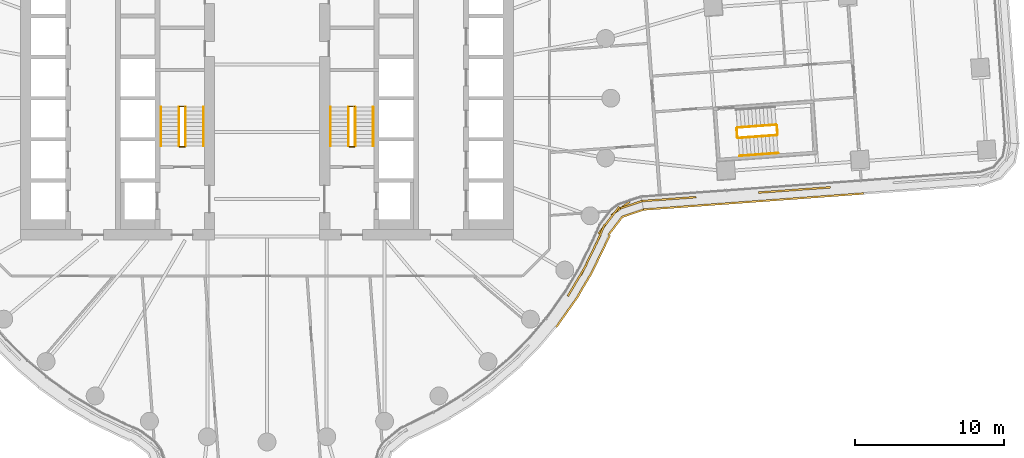
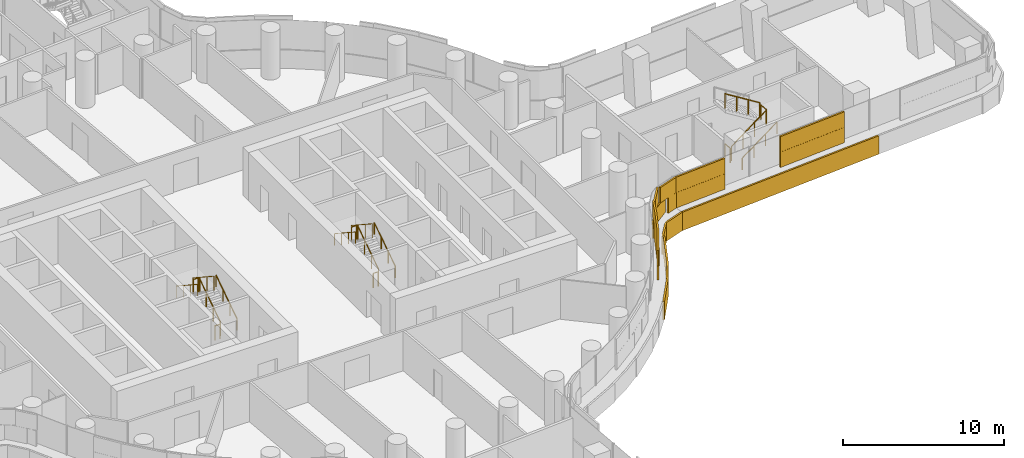
# One storey, part 28 of 31: 17 railings, 2 coverings.
"""IFC4 building model written with IfcOpenShell, lengths in metres."""

from ifc_helpers import new_model, si_unit, direction, frame, origin, origin_2d, place, context, subcontext, project, spatial, rectangle, circle, extrude, material, layer, layer_set, type_object, element, save


model = new_model("IFC4")

# Units and contexts
model_context = context("Model", 3, precision=1e-05, world=origin(), true_north=direction((0.0, 1.0)))
body_context = subcontext(model_context, "Body", "Model", "MODEL_VIEW")
ifc_project = project(units=[si_unit("LENGTHUNIT", "METRE"), si_unit("AREAUNIT", "SQUARE_METRE"), si_unit("VOLUMEUNIT", "CUBIC_METRE"), si_unit("PLANEANGLEUNIT", "RADIAN"), si_unit("MASSUNIT", "GRAM", prefix="KILO")], contexts=[model_context])

# Site, building, storey
site_placement = place(None, origin())
site = spatial("IfcSite", under=ifc_project, at=site_placement, CompositionType="ELEMENT")
building_placement = place(site_placement, origin())
building = spatial("IfcBuilding", under=site, at=building_placement, Name="Tamarind Cross Interchange Tower", CompositionType="ELEMENT")
storey_placement = place(building_placement, frame((0.0, 0.0, 49.0)))
storey = spatial("IfcBuildingStorey", under=building, at=storey_placement, Name="L10", CompositionType="ELEMENT", Elevation=49.0)

# Railings
ifc_material_1 = material(Name="Stair guard")
railing_type_1 = type_object("IfcRailingType", Name="Stair guard", PredefinedType="GUARDRAIL", material=ifc_material_1)
railing_1_placement = place(storey_placement, frame((-5.449951171875, -3.199951171875, 0.17041015625)))
element("IfcRailing", 1, at=railing_1_placement, inside=storey, type_object=railing_type_1, Name="L10 ST1 stair guard 1", PredefinedType="GUARDRAIL", context=body_context, shape_type="SweptSolid", body=[
    extrude(circle(Radius=0.02392578125, at=origin_2d()), frame((0.0, 0.0, 1.076171875), z_axis=(0.0, 0.836278606002, 0.548304744775), x_axis=(-1.0, 0.0, 0.0)), (0.0, 0.0, 1.0), 3.10888671875),
    extrude(circle(Radius=0.02099609375, at=origin_2d()), origin(), (0.0, 0.0, 1.0), 1.052001953125),
    extrude(circle(Radius=0.02099609375, at=origin_2d()), frame((0.0, 0.86669921875, 0.568115234375)), (0.0, 0.0, 1.0), 1.052001953125),
    extrude(circle(Radius=0.02099609375, at=origin_2d()), frame((0.0, 1.733154296875, 1.136474609375)), (0.0, 0.0, 1.0), 1.052001953125),
    extrude(circle(Radius=0.02099609375, at=origin_2d()), frame((0.0, 2.599853515625, 1.70458984375)), (0.0, 0.0, 1.0), 1.052001953125),
])
railing_2_placement = place(storey_placement, frame((-5.5, -0.550048828125, 1.875)))
element("IfcRailing", 2, at=railing_2_placement, inside=storey, type_object=railing_type_1, Name="L10 ST1 stair guard 2", PredefinedType="GUARDRAIL", context=body_context, shape_type="SweptSolid", body=[
    extrude(circle(Radius=0.02392578125, at=origin_2d()), frame((0.0, 0.0, 1.076171875), z_axis=(-1.0, 0.0, 0.0), x_axis=(0.0, -1.0, 0.0)), (0.0, 0.0, 1.0), 0.35009765625),
    extrude(circle(Radius=0.02099609375, at=origin_2d()), origin(), (0.0, 0.0, 1.0), 1.052001953125),
    extrude(circle(Radius=0.02099609375, at=origin_2d()), frame((-0.35009765625, 0.0, 0.0)), (0.0, 0.0, 1.0), 1.052001953125),
])
railing_3_placement = place(storey_placement, frame((-5.89990234375, -0.60009765625, 2.04541015625)))
element("IfcRailing", 3, at=railing_3_placement, inside=storey, type_object=railing_type_1, Name="L10 ST1 stair guard 3", PredefinedType="GUARDRAIL", context=body_context, shape_type="SweptSolid", body=[
    extrude(circle(Radius=0.02392578125, at=origin_2d()), frame((0.0, 0.0, 1.076171875), z_axis=(0.0, -0.836278606002, 0.548304744775), x_axis=(1.0, 0.0, 0.0)), (0.0, 0.0, 1.0), 3.10888671875),
    extrude(circle(Radius=0.02099609375, at=origin_2d()), origin(), (0.0, 0.0, 1.0), 1.052001953125),
    extrude(circle(Radius=0.02099609375, at=origin_2d()), frame((0.0, -0.86669921875, 0.568115234375)), (0.0, 0.0, 1.0), 1.052001953125),
    extrude(circle(Radius=0.02099609375, at=origin_2d()), frame((0.0, -1.733154296875, 1.136474609375)), (0.0, 0.0, 1.0), 1.052001953125),
    extrude(circle(Radius=0.02099609375, at=origin_2d()), frame((0.0, -2.599853515625, 1.70458984375)), (0.0, 0.0, 1.0), 1.052001953125),
])
railing_4_placement = place(storey_placement, frame((-5.5, -3.25, 0.0)))
element("IfcRailing", 4, at=railing_4_placement, inside=storey, type_object=railing_type_1, Name="L10 ST1 stair guard 4", PredefinedType="GUARDRAIL", context=body_context, shape_type="SweptSolid", body=[
    extrude(circle(Radius=0.02392578125, at=origin_2d()), frame((0.0, 0.0, 1.076171875), z_axis=(-1.0, 0.0, 0.0), x_axis=(0.0, -1.0, 0.0)), (0.0, 0.0, 1.0), 0.35009765625),
    extrude(circle(Radius=0.02099609375, at=origin_2d()), origin(), (0.0, 0.0, 1.0), 1.052001953125),
    extrude(circle(Radius=0.02099609375, at=origin_2d()), frame((-0.35009765625, 0.0, 0.0)), (0.0, 0.0, 1.0), 1.052001953125),
])
railing_5_placement = place(storey_placement, frame((5.89990234375, -3.199951171875, 0.17041015625)))
element("IfcRailing", 5, at=railing_5_placement, inside=storey, type_object=railing_type_1, Name="L10 ST2 stair guard 1", PredefinedType="GUARDRAIL", context=body_context, shape_type="SweptSolid", body=[
    extrude(circle(Radius=0.02392578125, at=origin_2d()), frame((0.0, 0.0, 1.076171875), z_axis=(0.0, 0.836278606002, 0.548304744775), x_axis=(-1.0, 0.0, 0.0)), (0.0, 0.0, 1.0), 3.10888671875),
    extrude(circle(Radius=0.02099609375, at=origin_2d()), origin(), (0.0, 0.0, 1.0), 1.052001953125),
    extrude(circle(Radius=0.02099609375, at=origin_2d()), frame((0.0, 0.86669921875, 0.568115234375)), (0.0, 0.0, 1.0), 1.052001953125),
    extrude(circle(Radius=0.02099609375, at=origin_2d()), frame((0.0, 1.733154296875, 1.136474609375)), (0.0, 0.0, 1.0), 1.052001953125),
    extrude(circle(Radius=0.02099609375, at=origin_2d()), frame((0.0, 2.599853515625, 1.70458984375)), (0.0, 0.0, 1.0), 1.052001953125),
])
railing_6_placement = place(storey_placement, frame((5.85009765625, -0.550048828125, 1.875)))
element("IfcRailing", 6, at=railing_6_placement, inside=storey, type_object=railing_type_1, Name="L10 ST2 stair guard 2", PredefinedType="GUARDRAIL", context=body_context, shape_type="SweptSolid", body=[
    extrude(circle(Radius=0.02392578125, at=origin_2d()), frame((0.0, 0.0, 1.076171875), z_axis=(-1.0, 0.0, 0.0), x_axis=(0.0, -1.0, 0.0)), (0.0, 0.0, 1.0), 0.35009765625),
    extrude(circle(Radius=0.02099609375, at=origin_2d()), origin(), (0.0, 0.0, 1.0), 1.052001953125),
    extrude(circle(Radius=0.02099609375, at=origin_2d()), frame((-0.35009765625, 0.0, 0.0)), (0.0, 0.0, 1.0), 1.052001953125),
])
railing_7_placement = place(storey_placement, frame((5.449951171875, -0.60009765625, 2.04541015625)))
element("IfcRailing", 7, at=railing_7_placement, inside=storey, type_object=railing_type_1, Name="L10 ST2 stair guard 3", PredefinedType="GUARDRAIL", context=body_context, shape_type="SweptSolid", body=[
    extrude(circle(Radius=0.02392578125, at=origin_2d()), frame((0.0, 0.0, 1.076171875), z_axis=(0.0, -0.836278606002, 0.548304744775), x_axis=(1.0, 0.0, 0.0)), (0.0, 0.0, 1.0), 3.10888671875),
    extrude(circle(Radius=0.02099609375, at=origin_2d()), origin(), (0.0, 0.0, 1.0), 1.052001953125),
    extrude(circle(Radius=0.02099609375, at=origin_2d()), frame((0.0, -0.86669921875, 0.568115234375)), (0.0, 0.0, 1.0), 1.052001953125),
    extrude(circle(Radius=0.02099609375, at=origin_2d()), frame((0.0, -1.733154296875, 1.136474609375)), (0.0, 0.0, 1.0), 1.052001953125),
    extrude(circle(Radius=0.02099609375, at=origin_2d()), frame((0.0, -2.599853515625, 1.70458984375)), (0.0, 0.0, 1.0), 1.052001953125),
])
railing_8_placement = place(storey_placement, frame((5.85009765625, -3.25, 0.0)))
element("IfcRailing", 8, at=railing_8_placement, inside=storey, type_object=railing_type_1, Name="L10 ST2 stair guard 4", PredefinedType="GUARDRAIL", context=body_context, shape_type="SweptSolid", body=[
    extrude(circle(Radius=0.02392578125, at=origin_2d()), frame((0.0, 0.0, 1.076171875), z_axis=(-1.0, 0.0, 0.0), x_axis=(0.0, -1.0, 0.0)), (0.0, 0.0, 1.0), 0.35009765625),
    extrude(circle(Radius=0.02099609375, at=origin_2d()), origin(), (0.0, 0.0, 1.0), 1.052001953125),
    extrude(circle(Radius=0.02099609375, at=origin_2d()), frame((-0.35009765625, 0.0, 0.0)), (0.0, 0.0, 1.0), 1.052001953125),
])
railing_9_placement = place(storey_placement, frame((31.519287109375, -2.663330078125, 0.17041015625)))
element("IfcRailing", 9, at=railing_9_placement, inside=storey, type_object=railing_type_1, Name="L10 ST3 stair guard 1", PredefinedType="GUARDRAIL", context=body_context, shape_type="SweptSolid", body=[
    extrude(circle(Radius=0.02392578125, at=origin_2d()), frame((0.0, 0.0, 1.076171875), z_axis=(0.834086614599, 0.060934966384, 0.548257648572), x_axis=(-0.072861742749, 0.997342050875, 0.0)), (0.0, 0.0, 1.0), 3.109130859375),
    extrude(circle(Radius=0.02099609375, at=origin_2d()), origin(), (0.0, 0.0, 1.0), 1.052001953125),
    extrude(circle(Radius=0.02099609375, at=origin_2d()), frame((0.864501953125, 0.063232421875, 0.568115234375)), (0.0, 0.0, 1.0), 1.052001953125),
    extrude(circle(Radius=0.02099609375, at=origin_2d()), frame((1.728759765625, 0.126220703125, 1.136474609375)), (0.0, 0.0, 1.0), 1.052001953125),
    extrude(circle(Radius=0.02099609375, at=origin_2d()), frame((2.59326171875, 0.189453125, 1.70458984375)), (0.0, 0.0, 1.0), 1.052001953125),
])
railing_10_placement = place(storey_placement, frame((34.15869140625, -2.42041015625, 1.875)))
element("IfcRailing", 10, at=railing_10_placement, inside=storey, type_object=railing_type_1, Name="L10 ST3 stair guard 2", PredefinedType="GUARDRAIL", context=body_context, shape_type="SweptSolid", body=[
    extrude(circle(Radius=0.02392578125, at=origin_2d()), frame((0.0, 0.0, 1.076171875), z_axis=(-0.072837431648, 0.997343826647, 0.0), x_axis=(-0.997343826647, -0.072837431648, 0.0)), (0.0, 0.0, 1.0), 0.60009765625),
    extrude(circle(Radius=0.02099609375, at=origin_2d()), origin(), (0.0, 0.0, 1.0), 1.052001953125),
    extrude(circle(Radius=0.02099609375, at=origin_2d()), frame((-0.043701171875, 0.598388671875, 0.0)), (0.0, 0.0, 1.0), 1.052001953125),
])
railing_11_placement = place(storey_placement, frame((34.0615234375, -1.775634765625, 2.04541015625)))
element("IfcRailing", 11, at=railing_11_placement, inside=storey, type_object=railing_type_1, Name="L10 ST3 stair guard 3", PredefinedType="GUARDRAIL", context=body_context, shape_type="SweptSolid", body=[
    extrude(circle(Radius=0.02392578125, at=origin_2d()), frame((0.0, 0.0, 1.076171875), z_axis=(-0.834062717302, -0.060938957596, 0.548293559194), x_axis=(0.072868566483, -0.997341552337, 0.0)), (0.0, 0.0, 1.0), 3.10888671875),
    extrude(circle(Radius=0.02099609375, at=origin_2d()), origin(), (0.0, 0.0, 1.0), 1.052001953125),
    extrude(circle(Radius=0.02099609375, at=origin_2d()), frame((-0.8642578125, -0.063232421875, 0.568115234375)), (0.0, 0.0, 1.0), 1.052001953125),
    extrude(circle(Radius=0.02099609375, at=origin_2d()), frame((-1.728759765625, -0.126220703125, 1.136474609375)), (0.0, 0.0, 1.0), 1.052001953125),
    extrude(circle(Radius=0.02099609375, at=origin_2d()), frame((-2.593017578125, -0.189453125, 1.70458984375)), (0.0, 0.0, 1.0), 1.052001953125),
])
railing_12_placement = place(storey_placement, frame((31.4658203125, -2.6171875, 0.0)))
element("IfcRailing", 12, at=railing_12_placement, inside=storey, type_object=railing_type_1, Name="L10 ST3 stair guard 4", PredefinedType="GUARDRAIL", context=body_context, shape_type="SweptSolid", body=[
    extrude(circle(Radius=0.02392578125, at=origin_2d()), frame((0.0, 0.0, 1.076171875), z_axis=(-0.072837431648, 0.997343826647, 0.0), x_axis=(-0.997343826647, -0.072837431648, 0.0)), (0.0, 0.0, 1.0), 0.60009765625),
    extrude(circle(Radius=0.02099609375, at=origin_2d()), origin(), (0.0, 0.0, 1.0), 1.052001953125),
    extrude(circle(Radius=0.02099609375, at=origin_2d()), frame((-0.043701171875, 0.598388671875, 0.0)), (0.0, 0.0, 1.0), 1.052001953125),
])
ifc_material_2 = material(Name="Stair handrail")
railing_type_2 = type_object("IfcRailingType", Name="Stair handrail", PredefinedType="HANDRAIL", material=ifc_material_2)
railing_13_placement = place(storey_placement, frame((-4.25, -3.199951171875, 0.17041015625)))
element("IfcRailing", 13, at=railing_13_placement, inside=storey, type_object=railing_type_2, Name="L10 ST1 stair handrail 1", PredefinedType="HANDRAIL", context=body_context, shape_type="SweptSolid", body=[
    extrude(circle(Radius=0.02392578125, at=origin_2d()), frame((0.0, 0.0, 0.8759765625), z_axis=(0.0, 0.836278606002, 0.548304744775), x_axis=(-1.0, 0.0, 0.0)), (0.0, 0.0, 1.0), 3.10888671875),
    extrude(circle(Radius=0.02099609375, at=origin_2d()), origin(), (0.0, 0.0, 1.0), 0.851806640625),
    extrude(circle(Radius=0.02099609375, at=origin_2d()), frame((0.0, 0.86669921875, 0.568115234375)), (0.0, 0.0, 1.0), 0.851806640625),
    extrude(circle(Radius=0.02099609375, at=origin_2d()), frame((0.0, 1.733154296875, 1.136474609375)), (0.0, 0.0, 1.0), 0.851806640625),
    extrude(circle(Radius=0.02099609375, at=origin_2d()), frame((0.0, 2.599853515625, 1.70458984375)), (0.0, 0.0, 1.0), 0.851806640625),
])
railing_14_placement = place(storey_placement, frame((-7.10009765625, -0.60009765625, 2.04541015625)))
element("IfcRailing", 14, at=railing_14_placement, inside=storey, type_object=railing_type_2, Name="L10 ST1 stair handrail 2", PredefinedType="HANDRAIL", context=body_context, shape_type="SweptSolid", body=[
    extrude(circle(Radius=0.02392578125, at=origin_2d()), frame((0.0, 0.0, 0.8759765625), z_axis=(0.0, -0.836278606002, 0.548304744775), x_axis=(1.0, 0.0, 0.0)), (0.0, 0.0, 1.0), 3.10888671875),
    extrude(circle(Radius=0.02099609375, at=origin_2d()), origin(), (0.0, 0.0, 1.0), 0.851806640625),
    extrude(circle(Radius=0.02099609375, at=origin_2d()), frame((0.0, -0.86669921875, 0.568115234375)), (0.0, 0.0, 1.0), 0.851806640625),
    extrude(circle(Radius=0.02099609375, at=origin_2d()), frame((0.0, -1.733154296875, 1.136474609375)), (0.0, 0.0, 1.0), 0.851806640625),
    extrude(circle(Radius=0.02099609375, at=origin_2d()), frame((0.0, -2.599853515625, 1.70458984375)), (0.0, 0.0, 1.0), 0.851806640625),
])
railing_15_placement = place(storey_placement, frame((7.10009765625, -3.199951171875, 0.17041015625)))
element("IfcRailing", 15, at=railing_15_placement, inside=storey, type_object=railing_type_2, Name="L10 ST2 stair handrail 1", PredefinedType="HANDRAIL", context=body_context, shape_type="SweptSolid", body=[
    extrude(circle(Radius=0.02392578125, at=origin_2d()), frame((0.0, 0.0, 0.8759765625), z_axis=(0.0, 0.836278606002, 0.548304744775), x_axis=(-1.0, 0.0, 0.0)), (0.0, 0.0, 1.0), 3.10888671875),
    extrude(circle(Radius=0.02099609375, at=origin_2d()), origin(), (0.0, 0.0, 1.0), 0.851806640625),
    extrude(circle(Radius=0.02099609375, at=origin_2d()), frame((0.0, 0.86669921875, 0.568115234375)), (0.0, 0.0, 1.0), 0.851806640625),
    extrude(circle(Radius=0.02099609375, at=origin_2d()), frame((0.0, 1.733154296875, 1.136474609375)), (0.0, 0.0, 1.0), 0.851806640625),
    extrude(circle(Radius=0.02099609375, at=origin_2d()), frame((0.0, 2.599853515625, 1.70458984375)), (0.0, 0.0, 1.0), 0.851806640625),
])
railing_16_placement = place(storey_placement, frame((4.25, -0.60009765625, 2.04541015625)))
element("IfcRailing", 16, at=railing_16_placement, inside=storey, type_object=railing_type_2, Name="L10 ST2 stair handrail 2", PredefinedType="HANDRAIL", context=body_context, shape_type="SweptSolid", body=[
    extrude(circle(Radius=0.02392578125, at=origin_2d()), frame((0.0, 0.0, 0.8759765625), z_axis=(0.0, -0.836278606002, 0.548304744775), x_axis=(1.0, 0.0, 0.0)), (0.0, 0.0, 1.0), 3.10888671875),
    extrude(circle(Radius=0.02099609375, at=origin_2d()), origin(), (0.0, 0.0, 1.0), 0.851806640625),
    extrude(circle(Radius=0.02099609375, at=origin_2d()), frame((0.0, -0.86669921875, 0.568115234375)), (0.0, 0.0, 1.0), 0.851806640625),
    extrude(circle(Radius=0.02099609375, at=origin_2d()), frame((0.0, -1.733154296875, 1.136474609375)), (0.0, 0.0, 1.0), 0.851806640625),
    extrude(circle(Radius=0.02099609375, at=origin_2d()), frame((0.0, -2.599853515625, 1.70458984375)), (0.0, 0.0, 1.0), 0.851806640625),
])
railing_17_placement = place(storey_placement, frame((31.60693359375, -3.860107421875, 0.17041015625)))
element("IfcRailing", 17, at=railing_17_placement, inside=storey, type_object=railing_type_2, Name="L10 ST3 stair handrail 1", PredefinedType="HANDRAIL", context=body_context, shape_type="SweptSolid", body=[
    extrude(circle(Radius=0.02392578125, at=origin_2d()), frame((0.0, 0.0, 0.8759765625), z_axis=(0.834062717302, 0.060938957596, 0.548293559194), x_axis=(-0.072868566483, 0.997341552337, 0.0)), (0.0, 0.0, 1.0), 3.10888671875),
    extrude(circle(Radius=0.02099609375, at=origin_2d()), origin(), (0.0, 0.0, 1.0), 0.851806640625),
    extrude(circle(Radius=0.02099609375, at=origin_2d()), frame((0.8642578125, 0.063232421875, 0.568115234375)), (0.0, 0.0, 1.0), 0.851806640625),
    extrude(circle(Radius=0.02099609375, at=origin_2d()), frame((1.728759765625, 0.126220703125, 1.136474609375)), (0.0, 0.0, 1.0), 0.851806640625),
    extrude(circle(Radius=0.02099609375, at=origin_2d()), frame((2.593017578125, 0.189453125, 1.70458984375)), (0.0, 0.0, 1.0), 0.851806640625),
])

# Coverings
ifc_material_3 = material(Name="Terracotta", Category="masonry")
ifc_layer = layer(ifc_material_3, 0.1201171875)
ifc_layer_set = layer_set([ifc_layer], Name="Terracotta")
covering_type = type_object("IfcCoveringType", Name="Terracotta baguette screen unit", PredefinedType="MOLDING", material=ifc_layer_set)
covering_1_placement = place(storey_placement, origin())
element("IfcCovering", 18, at=covering_1_placement, inside=storey, type_object=covering_type, Name="SCR-L10-10-01", PredefinedType="MOLDING", context=body_context, shape_type="SweptSolid", body=[
    extrude(rectangle(XDim=1.52001953125, YDim=0.1201171875, at=origin_2d()), frame((20.592041015625, -12.45751953125, 1.404052734375), z_axis=(0.0, 0.0, 1.0), x_axis=(0.508183308752, 0.861248933065, 0.0)), (0.0, 0.0, 1.0), 1.1669921875),
    extrude(rectangle(XDim=1.52001953125, YDim=0.1201171875, at=origin_2d()), frame((21.336669921875, -11.15625, 1.404052734375), z_axis=(0.0, 0.0, 1.0), x_axis=(0.435326231914, 0.900272776334, 0.0)), (0.0, 0.0, 1.0), 1.1669921875),
    extrude(rectangle(XDim=1.52001953125, YDim=0.1201171875, at=origin_2d()), frame((21.98974609375, -9.8056640625, 1.404052734375), z_axis=(0.0, 0.0, 1.0), x_axis=(0.435326231914, 0.900272776334, 0.0)), (0.0, 0.0, 1.0), 1.1669921875),
    extrude(rectangle(XDim=1.52001953125, YDim=0.1201171875, at=origin_2d()), frame((22.643798828125, -8.4619140625, 1.404052734375), z_axis=(0.0, 0.0, 1.0), x_axis=(0.607958596282, 0.793968730623, 0.0)), (0.0, 0.0, 1.0), 1.1669921875),
    extrude(rectangle(XDim=1.52001953125, YDim=0.1201171875, at=origin_2d()), frame((23.655517578125, -7.37255859375, 1.404052734375), z_axis=(0.0, 0.0, 1.0), x_axis=(0.804565299135, 0.593864192747, 0.0)), (0.0, 0.0, 1.0), 1.1669921875),
    extrude(rectangle(XDim=0.764404296875, YDim=0.1201171875, at=origin_2d()), frame((24.720703125, -7.005859375, 1.404052734375), z_axis=(0.0, 0.0, 1.0), x_axis=(0.946488313927, 0.322738085139, 0.0)), (0.0, 0.0, 1.0), 1.1669921875),
    extrude(rectangle(XDim=0.924072265625, YDim=0.1201171875, at=origin_2d()), frame((20.359619140625, -12.85107421875, 2.5791015625), z_axis=(0.0, 0.0, 1.0), x_axis=(0.508183308752, 0.861248933065, 0.0)), (0.0, 0.0, 1.0), 1.1669921875),
    extrude(rectangle(XDim=1.52001953125, YDim=0.1201171875, at=origin_2d()), frame((20.97314453125, -11.8115234375, 2.5791015625), z_axis=(0.0, 0.0, 1.0), x_axis=(0.508183308752, 0.861248933065, 0.0)), (0.0, 0.0, 1.0), 1.1669921875),
    extrude(rectangle(XDim=1.52001953125, YDim=0.1201171875, at=origin_2d()), frame((21.663330078125, -10.48095703125, 2.5791015625), z_axis=(0.0, 0.0, 1.0), x_axis=(0.435326231914, 0.900272776334, 0.0)), (0.0, 0.0, 1.0), 1.1669921875),
    extrude(rectangle(XDim=1.52001953125, YDim=0.1201171875, at=origin_2d()), frame((22.2978515625, -9.1220703125, 2.5791015625), z_axis=(0.0, 0.0, 1.0), x_axis=(0.39848186102, 0.917176213406, 0.0)), (0.0, 0.0, 1.0), 1.1669921875),
    extrude(rectangle(XDim=1.52001953125, YDim=0.1201171875, at=origin_2d()), frame((23.099853515625, -7.866455078125, 2.5791015625), z_axis=(0.0, 0.0, 1.0), x_axis=(0.607958596282, 0.793968730623, 0.0)), (0.0, 0.0, 1.0), 1.1669921875),
    extrude(rectangle(XDim=1.52001953125, YDim=0.1201171875, at=origin_2d()), frame((24.36376953125, -7.12744140625, 2.5791015625), z_axis=(0.0, 0.0, 1.0), x_axis=(0.946488313927, 0.322738085139, 0.0)), (0.0, 0.0, 1.0), 1.1669921875),
    extrude(rectangle(XDim=1.11279296875, YDim=0.1201171875, at=origin_2d()), frame((19.674072265625, -14.853271484375, 0.00390625), z_axis=(0.0, 0.0, 1.0), x_axis=(0.577568978284, 0.816341886298, 0.0)), (0.0, 0.0, 1.0), 1.39208984375),
    extrude(rectangle(XDim=1.52001953125, YDim=0.1201171875, at=origin_2d()), frame((20.422607421875, -13.794921875, 0.00390625), z_axis=(0.0, 0.0, 1.0), x_axis=(0.577568978284, 0.816341886298, 0.0)), (0.0, 0.0, 1.0), 1.39208984375),
    extrude(rectangle(XDim=1.52001953125, YDim=0.1201171875, at=origin_2d()), frame((21.218505859375, -12.52490234375, 0.00390625), z_axis=(0.0, 0.0, 1.0), x_axis=(0.508183308752, 0.861248933065, 0.0)), (0.0, 0.0, 1.0), 1.39208984375),
    extrude(rectangle(XDim=1.52001953125, YDim=0.1201171875, at=origin_2d()), frame((21.946044921875, -11.21435546875, 0.00390625), z_axis=(0.0, 0.0, 1.0), x_axis=(0.435326231914, 0.900272776334, 0.0)), (0.0, 0.0, 1.0), 1.39208984375),
    extrude(rectangle(XDim=1.52001953125, YDim=0.1201171875, at=origin_2d()), frame((22.59912109375, -9.864013671875, 0.00390625), z_axis=(0.0, 0.0, 1.0), x_axis=(0.435326231914, 0.900272776334, 0.0)), (0.0, 0.0, 1.0), 1.39208984375),
    extrude(rectangle(XDim=1.52001953125, YDim=0.1201171875, at=origin_2d()), frame((23.30029296875, -8.548828125, 0.00390625), z_axis=(0.0, 0.0, 1.0), x_axis=(0.607958596282, 0.793968730623, 0.0)), (0.0, 0.0, 1.0), 1.39208984375),
    extrude(rectangle(XDim=1.52001953125, YDim=0.1201171875, at=origin_2d()), frame((24.473876953125, -7.696533203125, 0.00390625), z_axis=(0.0, 0.0, 1.0), x_axis=(0.946488313927, 0.322738085139, 0.0)), (0.0, 0.0, 1.0), 1.39208984375),
])
covering_2_placement = place(storey_placement, origin())
element("IfcCovering", 19, at=covering_2_placement, inside=storey, type_object=covering_type, Name="SCR-L10-11-00", PredefinedType="MOLDING", context=body_context, shape_type="SweptSolid", body=[
    extrude(rectangle(XDim=1.510009765625, YDim=0.1201171875, at=origin_2d()), frame((25.82568359375, -6.829345703125, 1.404052734375), z_axis=(0.0, 0.0, 1.0), x_axis=(0.997340999058, 0.072876138746, 0.0)), (0.0, 0.0, 1.0), 1.1669921875),
    extrude(rectangle(XDim=1.52001953125, YDim=0.1201171875, at=origin_2d()), frame((27.32177734375, -6.719970703125, 1.404052734375), z_axis=(0.0, 0.0, 1.0), x_axis=(0.997340999058, 0.072876138746, 0.0)), (0.0, 0.0, 1.0), 1.1669921875),
    extrude(rectangle(XDim=0.65380859375, YDim=0.1201171875, at=origin_2d()), frame((28.390869140625, -6.641845703125, 1.404052734375), z_axis=(0.0, 0.0, 1.0), x_axis=(0.997340999058, 0.072876138746, 0.0)), (0.0, 0.0, 1.0), 1.1669921875),
    extrude(rectangle(XDim=1.166259765625, YDim=0.1201171875, at=origin_2d()), frame((33.477294921875, -6.270263671875, 1.404052734375), z_axis=(0.0, 0.0, 1.0), x_axis=(0.997340999058, 0.072876138746, 0.0)), (0.0, 0.0, 1.0), 1.1669921875),
    extrude(rectangle(XDim=1.52001953125, YDim=0.1201171875, at=origin_2d()), frame((34.8017578125, -6.173583984375, 1.404052734375), z_axis=(0.0, 0.0, 1.0), x_axis=(0.997340999058, 0.072876138746, 0.0)), (0.0, 0.0, 1.0), 1.1669921875),
    extrude(rectangle(XDim=1.52001953125, YDim=0.1201171875, at=origin_2d()), frame((36.2978515625, -6.064208984375, 1.404052734375), z_axis=(0.0, 0.0, 1.0), x_axis=(0.997340999058, 0.072876138746, 0.0)), (0.0, 0.0, 1.0), 1.1669921875),
    extrude(rectangle(XDim=0.65380859375, YDim=0.1201171875, at=origin_2d()), frame((37.366943359375, -5.986083984375, 1.404052734375), z_axis=(0.0, 0.0, 1.0), x_axis=(0.997340999058, 0.072876138746, 0.0)), (0.0, 0.0, 1.0), 1.1669921875),
    extrude(rectangle(XDim=0.760009765625, YDim=0.1201171875, at=origin_2d()), frame((25.45166015625, -6.856689453125, 2.5791015625), z_axis=(0.0, 0.0, 1.0), x_axis=(0.997340999058, 0.072876138746, 0.0)), (0.0, 0.0, 1.0), 1.1669921875),
    extrude(rectangle(XDim=1.52001953125, YDim=0.1201171875, at=origin_2d()), frame((26.57373046875, -6.774658203125, 2.5791015625), z_axis=(0.0, 0.0, 1.0), x_axis=(0.997340999058, 0.072876138746, 0.0)), (0.0, 0.0, 1.0), 1.1669921875),
    extrude(rectangle(XDim=1.40380859375, YDim=0.1201171875, at=origin_2d()), frame((28.016845703125, -6.669189453125, 2.5791015625), z_axis=(0.0, 0.0, 1.0), x_axis=(0.997340999058, 0.072876138746, 0.0)), (0.0, 0.0, 1.0), 1.1669921875),
    extrude(rectangle(XDim=0.416259765625, YDim=0.1201171875, at=origin_2d()), frame((33.103271484375, -6.297607421875, 2.5791015625), z_axis=(0.0, 0.0, 1.0), x_axis=(0.997340999058, 0.072876138746, 0.0)), (0.0, 0.0, 1.0), 1.1669921875),
    extrude(rectangle(XDim=1.52001953125, YDim=0.1201171875, at=origin_2d()), frame((34.053955078125, -6.22802734375, 2.5791015625), z_axis=(0.0, 0.0, 1.0), x_axis=(0.997340999058, 0.072876138746, 0.0)), (0.0, 0.0, 1.0), 1.1669921875),
    extrude(rectangle(XDim=1.52001953125, YDim=0.1201171875, at=origin_2d()), frame((35.5498046875, -6.118896484375, 2.5791015625), z_axis=(0.0, 0.0, 1.0), x_axis=(0.997340999058, 0.072876138746, 0.0)), (0.0, 0.0, 1.0), 1.1669921875),
    extrude(rectangle(XDim=1.40380859375, YDim=0.1201171875, at=origin_2d()), frame((36.992919921875, -6.013427734375, 2.5791015625), z_axis=(0.0, 0.0, 1.0), x_axis=(0.997340999058, 0.072876138746, 0.0)), (0.0, 0.0, 1.0), 1.1669921875),
    extrude(rectangle(XDim=1.510009765625, YDim=0.1201171875, at=origin_2d()), frame((25.9462890625, -7.39599609375, 0.00390625), z_axis=(0.0, 0.0, 1.0), x_axis=(0.997340999058, 0.072876138746, 0.0)), (0.0, 0.0, 1.0), 1.39208984375),
    extrude(rectangle(XDim=1.52001953125, YDim=0.1201171875, at=origin_2d()), frame((27.437255859375, -7.287109375, 0.00390625), z_axis=(0.0, 0.0, 1.0), x_axis=(0.997340999058, 0.072876138746, 0.0)), (0.0, 0.0, 1.0), 1.39208984375),
    extrude(rectangle(XDim=1.52001953125, YDim=0.1201171875, at=origin_2d()), frame((28.93310546875, -7.177734375, 0.00390625), z_axis=(0.0, 0.0, 1.0), x_axis=(0.997340999058, 0.072876138746, 0.0)), (0.0, 0.0, 1.0), 1.39208984375),
    extrude(rectangle(XDim=1.52001953125, YDim=0.1201171875, at=origin_2d()), frame((30.42919921875, -7.068603515625, 0.00390625), z_axis=(0.0, 0.0, 1.0), x_axis=(0.997340999058, 0.072876138746, 0.0)), (0.0, 0.0, 1.0), 1.39208984375),
    extrude(rectangle(XDim=1.52001953125, YDim=0.1201171875, at=origin_2d()), frame((31.92529296875, -6.959228515625, 0.00390625), z_axis=(0.0, 0.0, 1.0), x_axis=(0.997340999058, 0.072876138746, 0.0)), (0.0, 0.0, 1.0), 1.39208984375),
    extrude(rectangle(XDim=1.52001953125, YDim=0.1201171875, at=origin_2d()), frame((33.421142578125, -6.849853515625, 0.00390625), z_axis=(0.0, 0.0, 1.0), x_axis=(0.997340999058, 0.072876138746, 0.0)), (0.0, 0.0, 1.0), 1.39208984375),
    extrude(rectangle(XDim=1.52001953125, YDim=0.1201171875, at=origin_2d()), frame((34.917236328125, -6.740478515625, 0.00390625), z_axis=(0.0, 0.0, 1.0), x_axis=(0.997340999058, 0.072876138746, 0.0)), (0.0, 0.0, 1.0), 1.39208984375),
    extrude(rectangle(XDim=1.52001953125, YDim=0.1201171875, at=origin_2d()), frame((36.413330078125, -6.63134765625, 0.00390625), z_axis=(0.0, 0.0, 1.0), x_axis=(0.997340999058, 0.072876138746, 0.0)), (0.0, 0.0, 1.0), 1.39208984375),
    extrude(rectangle(XDim=1.52001953125, YDim=0.1201171875, at=origin_2d()), frame((37.9091796875, -6.52197265625, 0.00390625), z_axis=(0.0, 0.0, 1.0), x_axis=(0.997340999058, 0.072876138746, 0.0)), (0.0, 0.0, 1.0), 1.39208984375),
    extrude(rectangle(XDim=1.2548828125, YDim=0.1201171875, at=origin_2d()), frame((39.273193359375, -6.42236328125, 0.00390625), z_axis=(0.0, 0.0, 1.0), x_axis=(0.997340999058, 0.072876138746, 0.0)), (0.0, 0.0, 1.0), 1.39208984375),
])

save(model, "model.ifc")
